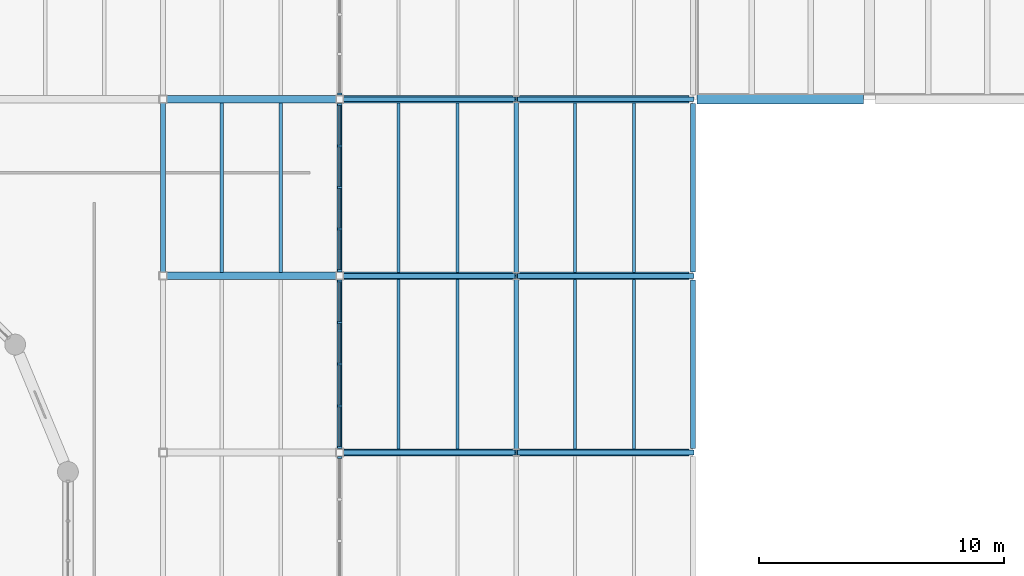
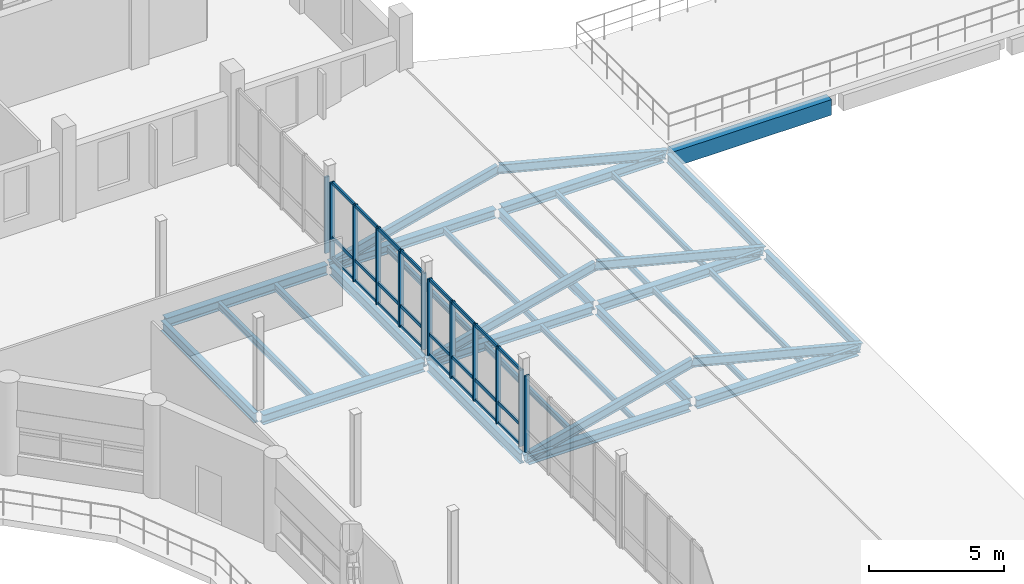
# One storey, part 34 of 63: 42 members, 26 beams, 4 elements without a shape of their own.
"""IFC4 building model written with IfcOpenShell, lengths in metres."""

from ifc_helpers import new_model, si_unit, direction, frame, origin, origin_2d, place, context, subcontext, project, spatial, rectangle, i_section, extrude, material, material_profile, profile_set, type_object, element, aggregate, save


model = new_model("IFC4")

# Units and contexts
model_context = context("Model", 3, precision=1e-05, world=origin(), true_north=direction((0.0, 1.0)))
body_context = subcontext(model_context, "Body", "Model", "MODEL_VIEW")
ifc_project = project(units=[si_unit("LENGTHUNIT", "METRE"), si_unit("AREAUNIT", "SQUARE_METRE"), si_unit("VOLUMEUNIT", "CUBIC_METRE"), si_unit("PLANEANGLEUNIT", "RADIAN"), si_unit("MASSUNIT", "GRAM", prefix="KILO")], contexts=[model_context])

# Site, building, storey
site_placement = place(None, origin())
site = spatial("IfcSite", under=ifc_project, at=site_placement, CompositionType="ELEMENT")
building_placement = place(site_placement, origin())
building = spatial("IfcBuilding", under=site, at=building_placement, Name="Qiaolan Assembly House", CompositionType="ELEMENT")
storey_placement = place(building_placement, frame((0.0, 0.0, 14.39990234375)))
storey = spatial("IfcBuildingStorey", under=building, at=storey_placement, Name="L03", CompositionType="ELEMENT", Elevation=14.39990234375)

# Beams
ifc_material_1 = material(Name="Concrete C40/50", Category="concrete")
ifc_material_profile_1 = material_profile(ifc_material_1, rectangle(XDim=0.39990234375, YDim=0.699951171875, at=origin_2d()), Name="RCB 400x700")
ifc_profile_set_1 = profile_set([ifc_material_profile_1], Name="Concrete C40/50")
beam_type_1 = type_object("IfcBeamType", Name="BM-RC-400x700", PredefinedType="BEAM", material=ifc_profile_set_1)
beam_1_placement = place(storey_placement, frame((108.1650390625, 79.199951171875, -0.659912109375), z_axis=(1.0, 0.0, 0.0), x_axis=(0.0, 1.0, 0.0)))
element("IfcBeam", 1, at=beam_1_placement, inside=storey, type_object=beam_type_1, Name="GB-05 beam BMX-CLNR-L03-00-00", PredefinedType="BEAM", context=body_context, shape_type="SweptSolid", body=[
    extrude(rectangle(XDim=0.39990234375, YDim=0.699951171875, at=origin_2d()), origin(), (0.0, 0.0, 1.0), 6.784912109375),
])
ifc_material_2 = material(Name="Steel Q355B", Category="steel")
ifc_material_profile_2 = material_profile(ifc_material_2, i_section(OverallWidth=0.300048828125, OverallDepth=0.389892578125, WebThickness=0.010009765625, FlangeThickness=0.01611328125, FilletRadius=0.01806640625, at=origin_2d()), Name="HM 390x300x10x16")
ifc_profile_set_2 = profile_set([ifc_material_profile_2], Name="Steel Q355B")
beam_type_2 = type_object("IfcBeamType", Name="BM-STL-HM390", PredefinedType="BEAM", material=ifc_profile_set_2)
beam_2_placement = place(storey_placement, frame((93.739990234375, 64.800048828125, -0.5048828125), z_axis=(1.0, 0.0, 0.0), x_axis=(0.0, 1.0, 0.0)))
element("IfcBeam", 2, at=beam_2_placement, inside=storey, type_object=beam_type_2, Name="SB-08 beam BMX-HLETR-L03-00-04", PredefinedType="BEAM", context=body_context, shape_type="SweptSolid", body=[
    extrude(i_section(OverallWidth=0.300048828125, OverallDepth=0.389892578125, WebThickness=0.010009765625, FlangeThickness=0.01611328125, FilletRadius=0.01806640625, at=origin_2d()), origin(), (0.0, 0.0, 1.0), 6.919921875),
])
beam_3_placement = place(storey_placement, frame((100.93994140625, 64.800048828125, -0.5048828125), z_axis=(1.0, 0.0, 0.0), x_axis=(0.0, 1.0, 0.0)))
element("IfcBeam", 3, at=beam_3_placement, inside=storey, type_object=beam_type_2, Name="SB-08 beam BMX-HLETR-L03-01-04", PredefinedType="BEAM", context=body_context, shape_type="SweptSolid", body=[
    extrude(i_section(OverallWidth=0.300048828125, OverallDepth=0.389892578125, WebThickness=0.010009765625, FlangeThickness=0.01611328125, FilletRadius=0.01806640625, at=origin_2d()), origin(), (0.0, 0.0, 1.0), 6.89501953125),
])
beam_4_placement = place(storey_placement, frame((93.739990234375, 72.0, -0.5048828125), z_axis=(1.0, 0.0, 0.0), x_axis=(0.0, 1.0, 0.0)))
element("IfcBeam", 4, at=beam_4_placement, inside=storey, type_object=beam_type_2, Name="SB-08 beam BMX-HLETR-L03-00-05", PredefinedType="BEAM", context=body_context, shape_type="SweptSolid", body=[
    extrude(i_section(OverallWidth=0.300048828125, OverallDepth=0.389892578125, WebThickness=0.010009765625, FlangeThickness=0.01611328125, FilletRadius=0.01806640625, at=origin_2d()), origin(), (0.0, 0.0, 1.0), 6.919921875),
])
beam_5_placement = place(storey_placement, frame((100.93994140625, 72.0, -0.5048828125), z_axis=(1.0, 0.0, 0.0), x_axis=(0.0, 1.0, 0.0)))
element("IfcBeam", 5, at=beam_5_placement, inside=storey, type_object=beam_type_2, Name="SB-08 beam BMX-HLETR-L03-01-05", PredefinedType="BEAM", context=body_context, shape_type="SweptSolid", body=[
    extrude(i_section(OverallWidth=0.300048828125, OverallDepth=0.389892578125, WebThickness=0.010009765625, FlangeThickness=0.01611328125, FilletRadius=0.01806640625, at=origin_2d()), origin(), (0.0, 0.0, 1.0), 6.89501953125),
])
beam_6_placement = place(storey_placement, frame((93.739990234375, 79.199951171875, -0.5048828125), z_axis=(1.0, 0.0, 0.0), x_axis=(0.0, 1.0, 0.0)))
element("IfcBeam", 6, at=beam_6_placement, inside=storey, type_object=beam_type_2, Name="SB-08 beam BMX-HLETR-L03-00-06", PredefinedType="BEAM", context=body_context, shape_type="SweptSolid", body=[
    extrude(i_section(OverallWidth=0.300048828125, OverallDepth=0.389892578125, WebThickness=0.010009765625, FlangeThickness=0.01611328125, FilletRadius=0.01806640625, at=origin_2d()), origin(), (0.0, 0.0, 1.0), 6.919921875),
])
beam_7_placement = place(storey_placement, frame((100.93994140625, 79.199951171875, -0.5048828125), z_axis=(1.0, 0.0, 0.0), x_axis=(0.0, 1.0, 0.0)))
element("IfcBeam", 7, at=beam_7_placement, inside=storey, type_object=beam_type_2, Name="SB-08 beam BMX-HLETR-L03-01-06", PredefinedType="BEAM", context=body_context, shape_type="SweptSolid", body=[
    extrude(i_section(OverallWidth=0.300048828125, OverallDepth=0.389892578125, WebThickness=0.010009765625, FlangeThickness=0.01611328125, FilletRadius=0.01806640625, at=origin_2d()), origin(), (0.0, 0.0, 1.0), 6.89501953125),
])
ifc_material_profile_3 = material_profile(ifc_material_2, i_section(OverallWidth=0.300048828125, OverallDepth=0.43994140625, WebThickness=0.010986328125, FlangeThickness=0.01806640625, FilletRadius=0.02001953125, at=origin_2d()), Name="HM 440x300x11x18")
ifc_profile_set_3 = profile_set([ifc_material_profile_3], Name="Steel Q355B")
beam_type_3 = type_object("IfcBeamType", Name="BM-STL-HM440", PredefinedType="BEAM", material=ifc_profile_set_3)
for number, where, z_axis, x_axis, name in (
    (8, (86.5400390625, 72.0, -0.52001953125), (1.0, 0.0, 0.0), (0.0, 1.0, 0.0), "SB-06 beam BMX-HLC-L03-06-05"),
    (9, (86.5400390625, 79.199951171875, -0.52001953125), (1.0, 0.0, 0.0), (0.0, 1.0, 0.0), "SB-06 beam BMX-HLC-L03-06-06"),
):
    element("IfcBeam", number, at=place(storey_placement, frame(where, z_axis=z_axis, x_axis=x_axis)), inside=storey, type_object=beam_type_3, Name=name, PredefinedType="BEAM", context=body_context, shape_type="SweptSolid", body=[
        extrude(i_section(OverallWidth=0.300048828125, OverallDepth=0.43994140625, WebThickness=0.010986328125, FlangeThickness=0.01806640625, FilletRadius=0.02001953125, at=origin_2d()), origin(), (0.0, 0.0, 1.0), 6.919921875),
    ])
ifc_material_profile_4 = material_profile(ifc_material_2, i_section(OverallWidth=0.199951171875, OverallDepth=0.39990234375, WebThickness=0.008056640625, FlangeThickness=0.012939453125, FilletRadius=0.01611328125, at=origin_2d()), Name="HN 400x200x8x13")
ifc_profile_set_4 = profile_set([ifc_material_profile_4], Name="Steel Q355B")
beam_type_4 = type_object("IfcBeamType", Name="BM-STL-HN400", PredefinedType="BEAM", material=ifc_profile_set_4)
for number, where, z_axis, x_axis, name in (
    (10, (100.800048828125, 64.93994140625, -0.510009765625), (0.0, 1.0, 0.0), (-1.0, 0.0, 0.0), "SB-09 beam BMY-HLETR-L03-01-04"),
    (11, (100.800048828125, 72.139892578125, -0.510009765625), (0.0, 1.0, 0.0), (-1.0, 0.0, 0.0), "SB-09 beam BMY-HLETR-L03-01-05"),
):
    element("IfcBeam", number, at=place(storey_placement, frame(where, z_axis=z_axis, x_axis=x_axis)), inside=storey, type_object=beam_type_4, Name=name, PredefinedType="BEAM", context=body_context, shape_type="SweptSolid", body=[
        extrude(i_section(OverallWidth=0.199951171875, OverallDepth=0.39990234375, WebThickness=0.008056640625, FlangeThickness=0.012939453125, FilletRadius=0.01611328125, at=origin_2d()), origin(), (0.0, 0.0, 1.0), 6.920166015625),
    ])
for number, where, z_axis, x_axis, name in (
    (12, (108.0, 64.965087890625, -0.510009765625), (0.0, 1.0, 0.0), (-1.0, 0.0, 0.0), "SB-09 beam BMY-HLETR-L03-02-04"),
    (13, (108.0, 72.1650390625, -0.510009765625), (0.0, 1.0, 0.0), (-1.0, 0.0, 0.0), "SB-09 beam BMY-HLETR-L03-02-05"),
):
    element("IfcBeam", number, at=place(storey_placement, frame(where, z_axis=z_axis, x_axis=x_axis)), inside=storey, type_object=beam_type_4, Name=name, PredefinedType="BEAM", context=body_context, shape_type="SweptSolid", body=[
        extrude(i_section(OverallWidth=0.199951171875, OverallDepth=0.39990234375, WebThickness=0.008056640625, FlangeThickness=0.012939453125, FilletRadius=0.01611328125, at=origin_2d()), origin(), (0.0, 0.0, 1.0), 6.869873046875),
    ])
ifc_material_profile_5 = material_profile(ifc_material_2, i_section(OverallWidth=0.199951171875, OverallDepth=0.449951171875, WebThickness=0.009033203125, FlangeThickness=0.013916015625, FilletRadius=0.01611328125, at=origin_2d()), Name="HN 450x200x9x14")
ifc_profile_set_5 = profile_set([ifc_material_profile_5], Name="Steel Q355B")
beam_type_5 = type_object("IfcBeamType", Name="BM-STL-HN450", PredefinedType="BEAM", material=ifc_profile_set_5)
for number, where, z_axis, x_axis, name in (
    (14, (86.39990234375, 72.139892578125, -0.52490234375), (0.0, 1.0, 0.0), (-1.0, 0.0, 0.0), "SB-07 beam BMY-HLC-L03-06-05"),
    (15, (93.60009765625, 64.93994140625, -0.52490234375), (0.0, 1.0, 0.0), (-1.0, 0.0, 0.0), "SB-07 beam BMY-HLC-L03-07-04"),
    (16, (93.60009765625, 72.139892578125, -0.52490234375), (0.0, 1.0, 0.0), (-1.0, 0.0, 0.0), "SB-07 beam BMY-HLC-L03-07-05"),
):
    element("IfcBeam", number, at=place(storey_placement, frame(where, z_axis=z_axis, x_axis=x_axis)), inside=storey, type_object=beam_type_5, Name=name, PredefinedType="BEAM", context=body_context, shape_type="SweptSolid", body=[
        extrude(i_section(OverallWidth=0.199951171875, OverallDepth=0.449951171875, WebThickness=0.009033203125, FlangeThickness=0.013916015625, FilletRadius=0.01611328125, at=origin_2d()), origin(), (0.0, 0.0, 1.0), 6.920166015625),
    ])

# Curtain wall, member
ifc_material_3 = material(Name="Anodised bronze aluminium", Category="aluminium")
curtain_wall_type = type_object("IfcCurtainWallType", Name="CW-HALL-CONC-420", PredefinedType="NOTDEFINED", material=ifc_material_3)
curtain_wall_1_placement = place(storey_placement, origin())
curtain_wall_1 = element("IfcCurtainWall", 17, at=curtain_wall_1_placement, inside=storey, type_object=curtain_wall_type, Name="CW-07 L03 Concourse East CW 4", PredefinedType="NOTDEFINED")
ifc_material_profile_6 = material_profile(ifc_material_3, rectangle(XDim=0.08203125, YDim=0.18994140625, at=origin_2d()), Name="MUL 82x190")
ifc_profile_set_6 = profile_set([ifc_material_profile_6], Name="Anodised bronze aluminium")
member_type_1 = type_object("IfcMemberType", Name="CW-HALL-CONC-420-MUL", PredefinedType="MULLION", material=ifc_profile_set_6)
member_1_placement = place(storey_placement, frame((93.60009765625, 64.590087890625, 0.0), z_axis=(0.0, 0.0, 1.0), x_axis=(0.0, -1.0, 0.0)))
member_1 = element("IfcMember", 18, at=member_1_placement, type_object=member_type_1, Name="ML-03 mullion CW-HLC-E-03-1", PredefinedType="MULLION", context=body_context, shape_type="SweptSolid", body=[
    extrude(rectangle(XDim=0.08203125, YDim=0.18994140625, at=origin_2d()), origin(), (0.0, 0.0, 1.0), 3.4501953125),
])
aggregate(curtain_wall_1, [member_1])

# Curtain wall, members
curtain_wall_2_placement = place(storey_placement, origin())
curtain_wall_2 = element("IfcCurtainWall", 19, at=curtain_wall_2_placement, inside=storey, type_object=curtain_wall_type, Name="CW-07 L03 Concourse East CW 5", PredefinedType="NOTDEFINED")
member_2_placement = place(storey_placement, frame((93.60009765625, 71.7900390625, 0.0), z_axis=(0.0, 0.0, 1.0), x_axis=(0.0, -1.0, 0.0)))
member_2 = element("IfcMember", 20, at=member_2_placement, type_object=member_type_1, Name="ML-03 mullion CW-HLC-E-04-1", PredefinedType="MULLION", context=body_context, shape_type="SweptSolid", body=[
    extrude(rectangle(XDim=0.08203125, YDim=0.18994140625, at=origin_2d()), origin(), (0.0, 0.0, 1.0), 3.4501953125),
])
member_3_placement = place(storey_placement, frame((93.60009765625, 70.094970703125, 0.0), z_axis=(0.0, 0.0, 1.0), x_axis=(0.0, -1.0, 0.0)))
member_3 = element("IfcMember", 21, at=member_3_placement, type_object=member_type_1, Name="ML-03 mullion CW-HLC-E-04-2", PredefinedType="MULLION", context=body_context, shape_type="SweptSolid", body=[
    extrude(rectangle(XDim=0.08203125, YDim=0.18994140625, at=origin_2d()), origin(), (0.0, 0.0, 1.0), 3.4501953125),
])
member_4_placement = place(storey_placement, frame((93.60009765625, 68.39990234375, 0.0), z_axis=(0.0, 0.0, 1.0), x_axis=(0.0, -1.0, 0.0)))
member_4 = element("IfcMember", 22, at=member_4_placement, type_object=member_type_1, Name="ML-03 mullion CW-HLC-E-04-3", PredefinedType="MULLION", context=body_context, shape_type="SweptSolid", body=[
    extrude(rectangle(XDim=0.08203125, YDim=0.18994140625, at=origin_2d()), origin(), (0.0, 0.0, 1.0), 3.4501953125),
])
member_5_placement = place(storey_placement, frame((93.60009765625, 66.705078125, 0.0), z_axis=(0.0, 0.0, 1.0), x_axis=(0.0, -1.0, 0.0)))
member_5 = element("IfcMember", 23, at=member_5_placement, type_object=member_type_1, Name="ML-03 mullion CW-HLC-E-04-4", PredefinedType="MULLION", context=body_context, shape_type="SweptSolid", body=[
    extrude(rectangle(XDim=0.08203125, YDim=0.18994140625, at=origin_2d()), origin(), (0.0, 0.0, 1.0), 3.4501953125),
])
member_6_placement = place(storey_placement, frame((93.60009765625, 65.010009765625, 0.0), z_axis=(0.0, 0.0, 1.0), x_axis=(0.0, -1.0, 0.0)))
member_6 = element("IfcMember", 24, at=member_6_placement, type_object=member_type_1, Name="ML-03 mullion CW-HLC-E-04-5", PredefinedType="MULLION", context=body_context, shape_type="SweptSolid", body=[
    extrude(rectangle(XDim=0.08203125, YDim=0.18994140625, at=origin_2d()), origin(), (0.0, 0.0, 1.0), 3.4501953125),
])

curtain_wall_3_placement = place(storey_placement, origin())
curtain_wall_3 = element("IfcCurtainWall", 25, at=curtain_wall_3_placement, inside=storey, type_object=curtain_wall_type, Name="CW-07 L03 Concourse East CW 6", PredefinedType="NOTDEFINED")
member_7_placement = place(storey_placement, frame((93.60009765625, 78.989990234375, 0.0), z_axis=(0.0, 0.0, 1.0), x_axis=(0.0, -1.0, 0.0)))
member_7 = element("IfcMember", 26, at=member_7_placement, type_object=member_type_1, Name="ML-03 mullion CW-HLC-E-05-1", PredefinedType="MULLION", context=body_context, shape_type="SweptSolid", body=[
    extrude(rectangle(XDim=0.08203125, YDim=0.18994140625, at=origin_2d()), origin(), (0.0, 0.0, 1.0), 3.4501953125),
])
member_8_placement = place(storey_placement, frame((93.60009765625, 77.294921875, 0.0), z_axis=(0.0, 0.0, 1.0), x_axis=(0.0, -1.0, 0.0)))
member_8 = element("IfcMember", 27, at=member_8_placement, type_object=member_type_1, Name="ML-03 mullion CW-HLC-E-05-2", PredefinedType="MULLION", context=body_context, shape_type="SweptSolid", body=[
    extrude(rectangle(XDim=0.08203125, YDim=0.18994140625, at=origin_2d()), origin(), (0.0, 0.0, 1.0), 3.4501953125),
])
member_9_placement = place(storey_placement, frame((93.60009765625, 75.60009765625, 0.0), z_axis=(0.0, 0.0, 1.0), x_axis=(0.0, -1.0, 0.0)))
member_9 = element("IfcMember", 28, at=member_9_placement, type_object=member_type_1, Name="ML-03 mullion CW-HLC-E-05-3", PredefinedType="MULLION", context=body_context, shape_type="SweptSolid", body=[
    extrude(rectangle(XDim=0.08203125, YDim=0.18994140625, at=origin_2d()), origin(), (0.0, 0.0, 1.0), 3.4501953125),
])
member_10_placement = place(storey_placement, frame((93.60009765625, 73.905029296875, 0.0), z_axis=(0.0, 0.0, 1.0), x_axis=(0.0, -1.0, 0.0)))
member_10 = element("IfcMember", 29, at=member_10_placement, type_object=member_type_1, Name="ML-03 mullion CW-HLC-E-05-4", PredefinedType="MULLION", context=body_context, shape_type="SweptSolid", body=[
    extrude(rectangle(XDim=0.08203125, YDim=0.18994140625, at=origin_2d()), origin(), (0.0, 0.0, 1.0), 3.4501953125),
])
member_11_placement = place(storey_placement, frame((93.60009765625, 72.2099609375, 0.0), z_axis=(0.0, 0.0, 1.0), x_axis=(0.0, -1.0, 0.0)))
member_11 = element("IfcMember", 30, at=member_11_placement, type_object=member_type_1, Name="ML-03 mullion CW-HLC-E-05-5", PredefinedType="MULLION", context=body_context, shape_type="SweptSolid", body=[
    extrude(rectangle(XDim=0.08203125, YDim=0.18994140625, at=origin_2d()), origin(), (0.0, 0.0, 1.0), 3.4501953125),
])

# Curtain wall, member
curtain_wall_4_placement = place(storey_placement, origin())
curtain_wall_4 = element("IfcCurtainWall", 31, at=curtain_wall_4_placement, inside=storey, type_object=curtain_wall_type, Name="CW-07 L03 Concourse East CW 7", PredefinedType="NOTDEFINED")
member_12_placement = place(storey_placement, frame((93.60009765625, 79.409912109375, 0.0), z_axis=(0.0, 0.0, 1.0), x_axis=(0.0, -1.0, 0.0)))
member_12 = element("IfcMember", 32, at=member_12_placement, type_object=member_type_1, Name="ML-03 mullion CW-HLC-E-06-5", PredefinedType="MULLION", context=body_context, shape_type="SweptSolid", body=[
    extrude(rectangle(XDim=0.08203125, YDim=0.18994140625, at=origin_2d()), origin(), (0.0, 0.0, 1.0), 3.4501953125),
])
aggregate(curtain_wall_4, [member_12])

# Member
ifc_material_profile_7 = material_profile(ifc_material_3, rectangle(XDim=0.072021484375, YDim=0.14501953125, at=origin_2d()), Name="TRN 72x145")
ifc_profile_set_7 = profile_set([ifc_material_profile_7], Name="Anodised bronze aluminium")
member_type_2 = type_object("IfcMemberType", Name="CW-HALL-CONC-420-TRN", PredefinedType="USERDEFINED", material=ifc_profile_set_7)
member_13_placement = place(storey_placement, frame((93.60009765625, 71.7490234375, 0.030029296875), z_axis=(0.0, -1.0, 0.0), x_axis=(1.0, 0.0, 0.0)))
member_13 = element("IfcMember", 33, at=member_13_placement, type_object=member_type_2, Name="TR-03 transom CW-HLC-E-04-1-1", ObjectType="TRANSOM", PredefinedType="USERDEFINED", context=body_context, shape_type="SweptSolid", body=[
    extrude(rectangle(XDim=0.072021484375, YDim=0.14501953125, at=origin_2d()), origin(), (0.0, 0.0, 1.0), 1.613037109375),
])

member_14_placement = place(storey_placement, frame((93.60009765625, 71.7490234375, 0.9501953125), z_axis=(0.0, -1.0, 0.0), x_axis=(1.0, 0.0, 0.0)))
member_14 = element("IfcMember", 34, at=member_14_placement, type_object=member_type_2, Name="TR-03 transom CW-HLC-E-04-1-2", ObjectType="TRANSOM", PredefinedType="USERDEFINED", context=body_context, shape_type="SweptSolid", body=[
    extrude(rectangle(XDim=0.072021484375, YDim=0.14501953125, at=origin_2d()), origin(), (0.0, 0.0, 1.0), 1.613037109375),
])

member_15_placement = place(storey_placement, frame((93.60009765625, 71.7490234375, 3.420166015625), z_axis=(0.0, -1.0, 0.0), x_axis=(1.0, 0.0, 0.0)))
member_15 = element("IfcMember", 35, at=member_15_placement, type_object=member_type_2, Name="TR-03 transom CW-HLC-E-04-1-3", ObjectType="TRANSOM", PredefinedType="USERDEFINED", context=body_context, shape_type="SweptSolid", body=[
    extrude(rectangle(XDim=0.072021484375, YDim=0.14501953125, at=origin_2d()), origin(), (0.0, 0.0, 1.0), 1.613037109375),
])

member_16_placement = place(storey_placement, frame((93.60009765625, 70.053955078125, 0.030029296875), z_axis=(0.0, -1.0, 0.0), x_axis=(1.0, 0.0, 0.0)))
member_16 = element("IfcMember", 36, at=member_16_placement, type_object=member_type_2, Name="TR-03 transom CW-HLC-E-04-2-1", ObjectType="TRANSOM", PredefinedType="USERDEFINED", context=body_context, shape_type="SweptSolid", body=[
    extrude(rectangle(XDim=0.072021484375, YDim=0.14501953125, at=origin_2d()), origin(), (0.0, 0.0, 1.0), 1.613037109375),
])

member_17_placement = place(storey_placement, frame((93.60009765625, 70.053955078125, 0.9501953125), z_axis=(0.0, -1.0, 0.0), x_axis=(1.0, 0.0, 0.0)))
member_17 = element("IfcMember", 37, at=member_17_placement, type_object=member_type_2, Name="TR-03 transom CW-HLC-E-04-2-2", ObjectType="TRANSOM", PredefinedType="USERDEFINED", context=body_context, shape_type="SweptSolid", body=[
    extrude(rectangle(XDim=0.072021484375, YDim=0.14501953125, at=origin_2d()), origin(), (0.0, 0.0, 1.0), 1.613037109375),
])

member_18_placement = place(storey_placement, frame((93.60009765625, 70.053955078125, 3.420166015625), z_axis=(0.0, -1.0, 0.0), x_axis=(1.0, 0.0, 0.0)))
member_18 = element("IfcMember", 38, at=member_18_placement, type_object=member_type_2, Name="TR-03 transom CW-HLC-E-04-2-3", ObjectType="TRANSOM", PredefinedType="USERDEFINED", context=body_context, shape_type="SweptSolid", body=[
    extrude(rectangle(XDim=0.072021484375, YDim=0.14501953125, at=origin_2d()), origin(), (0.0, 0.0, 1.0), 1.613037109375),
])

member_19_placement = place(storey_placement, frame((93.60009765625, 68.35888671875, 0.030029296875), z_axis=(0.0, -1.0, 0.0), x_axis=(1.0, 0.0, 0.0)))
member_19 = element("IfcMember", 39, at=member_19_placement, type_object=member_type_2, Name="TR-03 transom CW-HLC-E-04-3-1", ObjectType="TRANSOM", PredefinedType="USERDEFINED", context=body_context, shape_type="SweptSolid", body=[
    extrude(rectangle(XDim=0.072021484375, YDim=0.14501953125, at=origin_2d()), origin(), (0.0, 0.0, 1.0), 1.61279296875),
])

member_20_placement = place(storey_placement, frame((93.60009765625, 68.35888671875, 0.9501953125), z_axis=(0.0, -1.0, 0.0), x_axis=(1.0, 0.0, 0.0)))
member_20 = element("IfcMember", 40, at=member_20_placement, type_object=member_type_2, Name="TR-03 transom CW-HLC-E-04-3-2", ObjectType="TRANSOM", PredefinedType="USERDEFINED", context=body_context, shape_type="SweptSolid", body=[
    extrude(rectangle(XDim=0.072021484375, YDim=0.14501953125, at=origin_2d()), origin(), (0.0, 0.0, 1.0), 1.61279296875),
])

member_21_placement = place(storey_placement, frame((93.60009765625, 68.35888671875, 3.420166015625), z_axis=(0.0, -1.0, 0.0), x_axis=(1.0, 0.0, 0.0)))
member_21 = element("IfcMember", 41, at=member_21_placement, type_object=member_type_2, Name="TR-03 transom CW-HLC-E-04-3-3", ObjectType="TRANSOM", PredefinedType="USERDEFINED", context=body_context, shape_type="SweptSolid", body=[
    extrude(rectangle(XDim=0.072021484375, YDim=0.14501953125, at=origin_2d()), origin(), (0.0, 0.0, 1.0), 1.61279296875),
])

member_22_placement = place(storey_placement, frame((93.60009765625, 66.6640625, 0.030029296875), z_axis=(0.0, -1.0, 0.0), x_axis=(1.0, 0.0, 0.0)))
member_22 = element("IfcMember", 42, at=member_22_placement, type_object=member_type_2, Name="TR-03 transom CW-HLC-E-04-4-1", ObjectType="TRANSOM", PredefinedType="USERDEFINED", context=body_context, shape_type="SweptSolid", body=[
    extrude(rectangle(XDim=0.072021484375, YDim=0.14501953125, at=origin_2d()), origin(), (0.0, 0.0, 1.0), 1.613037109375),
])

member_23_placement = place(storey_placement, frame((93.60009765625, 66.6640625, 0.9501953125), z_axis=(0.0, -1.0, 0.0), x_axis=(1.0, 0.0, 0.0)))
member_23 = element("IfcMember", 43, at=member_23_placement, type_object=member_type_2, Name="TR-03 transom CW-HLC-E-04-4-2", ObjectType="TRANSOM", PredefinedType="USERDEFINED", context=body_context, shape_type="SweptSolid", body=[
    extrude(rectangle(XDim=0.072021484375, YDim=0.14501953125, at=origin_2d()), origin(), (0.0, 0.0, 1.0), 1.613037109375),
])

member_24_placement = place(storey_placement, frame((93.60009765625, 66.6640625, 3.420166015625), z_axis=(0.0, -1.0, 0.0), x_axis=(1.0, 0.0, 0.0)))
member_24 = element("IfcMember", 44, at=member_24_placement, type_object=member_type_2, Name="TR-03 transom CW-HLC-E-04-4-3", ObjectType="TRANSOM", PredefinedType="USERDEFINED", context=body_context, shape_type="SweptSolid", body=[
    extrude(rectangle(XDim=0.072021484375, YDim=0.14501953125, at=origin_2d()), origin(), (0.0, 0.0, 1.0), 1.613037109375),
])

aggregate(curtain_wall_2, [member_2, member_3, member_4, member_5, member_6, member_13, member_14, member_15, member_16, member_17, member_18, member_19, member_20, member_21, member_22, member_23, member_24])

member_25_placement = place(storey_placement, frame((93.60009765625, 78.948974609375, 0.030029296875), z_axis=(0.0, -1.0, 0.0), x_axis=(1.0, 0.0, 0.0)))
member_25 = element("IfcMember", 45, at=member_25_placement, type_object=member_type_2, Name="TR-03 transom CW-HLC-E-05-1-1", ObjectType="TRANSOM", PredefinedType="USERDEFINED", context=body_context, shape_type="SweptSolid", body=[
    extrude(rectangle(XDim=0.072021484375, YDim=0.14501953125, at=origin_2d()), origin(), (0.0, 0.0, 1.0), 1.613037109375),
])

member_26_placement = place(storey_placement, frame((93.60009765625, 78.948974609375, 0.9501953125), z_axis=(0.0, -1.0, 0.0), x_axis=(1.0, 0.0, 0.0)))
member_26 = element("IfcMember", 46, at=member_26_placement, type_object=member_type_2, Name="TR-03 transom CW-HLC-E-05-1-2", ObjectType="TRANSOM", PredefinedType="USERDEFINED", context=body_context, shape_type="SweptSolid", body=[
    extrude(rectangle(XDim=0.072021484375, YDim=0.14501953125, at=origin_2d()), origin(), (0.0, 0.0, 1.0), 1.613037109375),
])

member_27_placement = place(storey_placement, frame((93.60009765625, 78.948974609375, 3.420166015625), z_axis=(0.0, -1.0, 0.0), x_axis=(1.0, 0.0, 0.0)))
member_27 = element("IfcMember", 47, at=member_27_placement, type_object=member_type_2, Name="TR-03 transom CW-HLC-E-05-1-3", ObjectType="TRANSOM", PredefinedType="USERDEFINED", context=body_context, shape_type="SweptSolid", body=[
    extrude(rectangle(XDim=0.072021484375, YDim=0.14501953125, at=origin_2d()), origin(), (0.0, 0.0, 1.0), 1.613037109375),
])

member_28_placement = place(storey_placement, frame((93.60009765625, 77.25390625, 0.030029296875), z_axis=(0.0, -1.0, 0.0), x_axis=(1.0, 0.0, 0.0)))
member_28 = element("IfcMember", 48, at=member_28_placement, type_object=member_type_2, Name="TR-03 transom CW-HLC-E-05-2-1", ObjectType="TRANSOM", PredefinedType="USERDEFINED", context=body_context, shape_type="SweptSolid", body=[
    extrude(rectangle(XDim=0.072021484375, YDim=0.14501953125, at=origin_2d()), origin(), (0.0, 0.0, 1.0), 1.61279296875),
])

member_29_placement = place(storey_placement, frame((93.60009765625, 77.25390625, 0.9501953125), z_axis=(0.0, -1.0, 0.0), x_axis=(1.0, 0.0, 0.0)))
member_29 = element("IfcMember", 49, at=member_29_placement, type_object=member_type_2, Name="TR-03 transom CW-HLC-E-05-2-2", ObjectType="TRANSOM", PredefinedType="USERDEFINED", context=body_context, shape_type="SweptSolid", body=[
    extrude(rectangle(XDim=0.072021484375, YDim=0.14501953125, at=origin_2d()), origin(), (0.0, 0.0, 1.0), 1.61279296875),
])

member_30_placement = place(storey_placement, frame((93.60009765625, 77.25390625, 3.420166015625), z_axis=(0.0, -1.0, 0.0), x_axis=(1.0, 0.0, 0.0)))
member_30 = element("IfcMember", 50, at=member_30_placement, type_object=member_type_2, Name="TR-03 transom CW-HLC-E-05-2-3", ObjectType="TRANSOM", PredefinedType="USERDEFINED", context=body_context, shape_type="SweptSolid", body=[
    extrude(rectangle(XDim=0.072021484375, YDim=0.14501953125, at=origin_2d()), origin(), (0.0, 0.0, 1.0), 1.61279296875),
])

member_31_placement = place(storey_placement, frame((93.60009765625, 75.55908203125, 0.030029296875), z_axis=(0.0, -1.0, 0.0), x_axis=(1.0, 0.0, 0.0)))
member_31 = element("IfcMember", 51, at=member_31_placement, type_object=member_type_2, Name="TR-03 transom CW-HLC-E-05-3-1", ObjectType="TRANSOM", PredefinedType="USERDEFINED", context=body_context, shape_type="SweptSolid", body=[
    extrude(rectangle(XDim=0.072021484375, YDim=0.14501953125, at=origin_2d()), origin(), (0.0, 0.0, 1.0), 1.613037109375),
])

member_32_placement = place(storey_placement, frame((93.60009765625, 75.55908203125, 0.9501953125), z_axis=(0.0, -1.0, 0.0), x_axis=(1.0, 0.0, 0.0)))
member_32 = element("IfcMember", 52, at=member_32_placement, type_object=member_type_2, Name="TR-03 transom CW-HLC-E-05-3-2", ObjectType="TRANSOM", PredefinedType="USERDEFINED", context=body_context, shape_type="SweptSolid", body=[
    extrude(rectangle(XDim=0.072021484375, YDim=0.14501953125, at=origin_2d()), origin(), (0.0, 0.0, 1.0), 1.613037109375),
])

member_33_placement = place(storey_placement, frame((93.60009765625, 75.55908203125, 3.420166015625), z_axis=(0.0, -1.0, 0.0), x_axis=(1.0, 0.0, 0.0)))
member_33 = element("IfcMember", 53, at=member_33_placement, type_object=member_type_2, Name="TR-03 transom CW-HLC-E-05-3-3", ObjectType="TRANSOM", PredefinedType="USERDEFINED", context=body_context, shape_type="SweptSolid", body=[
    extrude(rectangle(XDim=0.072021484375, YDim=0.14501953125, at=origin_2d()), origin(), (0.0, 0.0, 1.0), 1.613037109375),
])

member_34_placement = place(storey_placement, frame((93.60009765625, 73.864013671875, 0.030029296875), z_axis=(0.0, -1.0, 0.0), x_axis=(1.0, 0.0, 0.0)))
member_34 = element("IfcMember", 54, at=member_34_placement, type_object=member_type_2, Name="TR-03 transom CW-HLC-E-05-4-1", ObjectType="TRANSOM", PredefinedType="USERDEFINED", context=body_context, shape_type="SweptSolid", body=[
    extrude(rectangle(XDim=0.072021484375, YDim=0.14501953125, at=origin_2d()), origin(), (0.0, 0.0, 1.0), 1.613037109375),
])

member_35_placement = place(storey_placement, frame((93.60009765625, 73.864013671875, 0.9501953125), z_axis=(0.0, -1.0, 0.0), x_axis=(1.0, 0.0, 0.0)))
member_35 = element("IfcMember", 55, at=member_35_placement, type_object=member_type_2, Name="TR-03 transom CW-HLC-E-05-4-2", ObjectType="TRANSOM", PredefinedType="USERDEFINED", context=body_context, shape_type="SweptSolid", body=[
    extrude(rectangle(XDim=0.072021484375, YDim=0.14501953125, at=origin_2d()), origin(), (0.0, 0.0, 1.0), 1.613037109375),
])

member_36_placement = place(storey_placement, frame((93.60009765625, 73.864013671875, 3.420166015625), z_axis=(0.0, -1.0, 0.0), x_axis=(1.0, 0.0, 0.0)))
member_36 = element("IfcMember", 56, at=member_36_placement, type_object=member_type_2, Name="TR-03 transom CW-HLC-E-05-4-3", ObjectType="TRANSOM", PredefinedType="USERDEFINED", context=body_context, shape_type="SweptSolid", body=[
    extrude(rectangle(XDim=0.072021484375, YDim=0.14501953125, at=origin_2d()), origin(), (0.0, 0.0, 1.0), 1.613037109375),
])

aggregate(curtain_wall_3, [member_7, member_8, member_9, member_10, member_11, member_25, member_26, member_27, member_28, member_29, member_30, member_31, member_32, member_33, member_34, member_35, member_36])

# Beams
ifc_material_profile_8 = material_profile(ifc_material_2, i_section(OverallWidth=0.125, OverallDepth=0.25, WebThickness=0.006103515625, FlangeThickness=0.009033203125, FilletRadius=0.011962890625, at=origin_2d()), Name="HN 250x125x6x9")
ifc_profile_set_8 = profile_set([ifc_material_profile_8], Name="Steel Q355B")
beam_type_6 = type_object("IfcBeamType", Name="JST-STL-HN250", PredefinedType="JOIST", material=ifc_profile_set_8)
for number, where, z_axis, x_axis, name in (
    (57, (96.0, 64.944091796875, -0.434814453125), (0.0, 1.0, 0.0), (-1.0, 0.0, 0.0), "SJ-03 beam JST-HLETR-L03-00-04-1"),
    (58, (98.39990234375, 64.944091796875, -0.434814453125), (0.0, 1.0, 0.0), (-1.0, 0.0, 0.0), "SJ-03 beam JST-HLETR-L03-00-04-2"),
    (59, (96.0, 72.14404296875, -0.434814453125), (0.0, 1.0, 0.0), (-1.0, 0.0, 0.0), "SJ-03 beam JST-HLETR-L03-00-05-1"),
    (60, (98.39990234375, 72.14404296875, -0.434814453125), (0.0, 1.0, 0.0), (-1.0, 0.0, 0.0), "SJ-03 beam JST-HLETR-L03-00-05-2"),
    (61, (103.199951171875, 64.944091796875, -0.434814453125), (0.0, 1.0, 0.0), (-1.0, 0.0, 0.0), "SJ-03 beam JST-HLETR-L03-01-04-1"),
    (62, (105.60009765625, 64.944091796875, -0.434814453125), (0.0, 1.0, 0.0), (-1.0, 0.0, 0.0), "SJ-03 beam JST-HLETR-L03-01-04-2"),
    (63, (103.199951171875, 72.14404296875, -0.434814453125), (0.0, 1.0, 0.0), (-1.0, 0.0, 0.0), "SJ-03 beam JST-HLETR-L03-01-05-1"),
    (64, (105.60009765625, 72.14404296875, -0.434814453125), (0.0, 1.0, 0.0), (-1.0, 0.0, 0.0), "SJ-03 beam JST-HLETR-L03-01-05-2"),
):
    element("IfcBeam", number, at=place(storey_placement, frame(where, z_axis=z_axis, x_axis=x_axis)), inside=storey, type_object=beam_type_6, Name=name, PredefinedType="JOIST", context=body_context, shape_type="SweptSolid", body=[
        extrude(i_section(OverallWidth=0.125, OverallDepth=0.25, WebThickness=0.006103515625, FlangeThickness=0.009033203125, FilletRadius=0.011962890625, at=origin_2d()), origin(), (0.0, 0.0, 1.0), 6.911865234375),
    ])
ifc_material_profile_9 = material_profile(ifc_material_2, i_section(OverallWidth=0.14990234375, OverallDepth=0.300048828125, WebThickness=0.006591796875, FlangeThickness=0.009033203125, FilletRadius=0.012939453125, at=origin_2d()), Name="HN 300x150x6.5x9")
ifc_profile_set_9 = profile_set([ifc_material_profile_9], Name="Steel Q355B")
beam_type_7 = type_object("IfcBeamType", Name="JST-STL-HN300", PredefinedType="JOIST", material=ifc_profile_set_9)
for number, where, z_axis, x_axis, name in (
    (65, (88.800048828125, 72.14404296875, -0.449951171875), (0.0, 1.0, 0.0), (-1.0, 0.0, 0.0), "SJ-02 beam JST-HLC-L03-06-05-1"),
    (66, (91.199951171875, 72.14404296875, -0.449951171875), (0.0, 1.0, 0.0), (-1.0, 0.0, 0.0), "SJ-02 beam JST-HLC-L03-06-05-2"),
):
    element("IfcBeam", number, at=place(storey_placement, frame(where, z_axis=z_axis, x_axis=x_axis)), inside=storey, type_object=beam_type_7, Name=name, PredefinedType="JOIST", context=body_context, shape_type="SweptSolid", body=[
        extrude(i_section(OverallWidth=0.14990234375, OverallDepth=0.300048828125, WebThickness=0.006591796875, FlangeThickness=0.009033203125, FilletRadius=0.012939453125, at=origin_2d()), origin(), (0.0, 0.0, 1.0), 6.911865234375),
    ])

# Members
ifc_material_profile_10 = material_profile(ifc_material_2, i_section(OverallWidth=0.199951171875, OverallDepth=0.39990234375, WebThickness=0.008056640625, FlangeThickness=0.012939453125, FilletRadius=0.01611328125, at=origin_2d()), Name="HN 400x200x8x13-RF")
ifc_profile_set_10 = profile_set([ifc_material_profile_10], Name="Steel Q355B")
member_type_3 = type_object("IfcMemberType", Name="MBR-HALL-RAFTER-HN400", PredefinedType="RAFTER", material=ifc_profile_set_10)
for number, where, z_axis, x_axis, name in (
    (67, (93.60009765625, 64.800048828125, -0.4296875), (0.968693848933, 0.0, 0.248258387652), (0.0, 1.0, 0.0), "RF-02 hall skylight rafter EW-64"),
    (68, (100.800048828125, 64.800048828125, 1.41552734375), (0.968693848933, 0.0, -0.248258387652), (0.0, 1.0, 0.0), "RF-02 hall skylight rafter EE-64"),
    (69, (93.60009765625, 72.0, -0.4296875), (0.968693848933, 0.0, 0.248258387652), (0.0, 1.0, 0.0), "RF-02 hall skylight rafter EW-72"),
    (70, (100.800048828125, 72.0, 1.41552734375), (0.968693848933, 0.0, -0.248258387652), (0.0, 1.0, 0.0), "RF-02 hall skylight rafter EE-72"),
    (71, (93.60009765625, 79.199951171875, -0.4296875), (0.968693848933, 0.0, 0.248258387652), (0.0, 1.0, 0.0), "RF-02 hall skylight rafter EW-79"),
    (72, (100.800048828125, 79.199951171875, 1.41552734375), (0.968693848933, 0.0, -0.248258387652), (0.0, 1.0, 0.0), "RF-02 hall skylight rafter EE-79"),
):
    element("IfcMember", number, at=place(storey_placement, frame(where, z_axis=z_axis, x_axis=x_axis)), inside=storey, type_object=member_type_3, Name=name, PredefinedType="RAFTER", context=body_context, shape_type="SweptSolid", body=[
        extrude(i_section(OverallWidth=0.199951171875, OverallDepth=0.39990234375, WebThickness=0.008056640625, FlangeThickness=0.012939453125, FilletRadius=0.01611328125, at=origin_2d()), origin(), (0.0, 0.0, 1.0), 7.4326171875),
    ])

save(model, "model.ifc")
